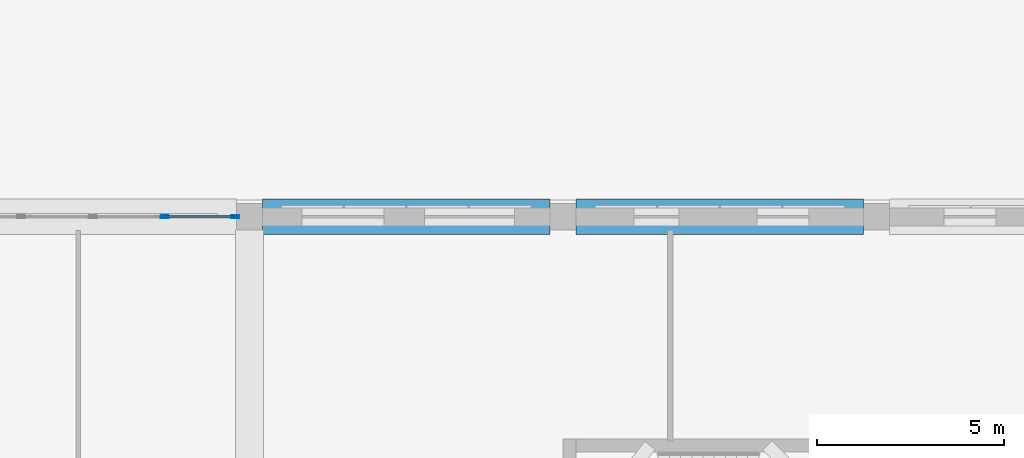
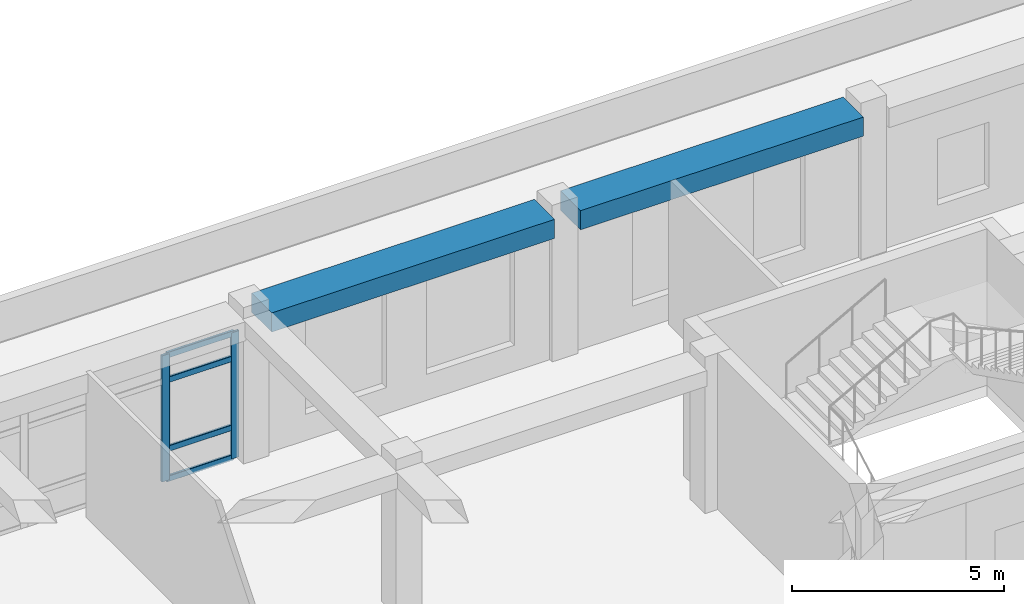
# One storey, part 36 of 100: 6 members, 2 beams, 1 element without a shape of its own.
"""IFC4 building model written with IfcOpenShell, lengths in metres."""

from ifc_helpers import new_model, si_unit, derived_unit, direction, frame, origin, origin_2d, place, context, subcontext, project, spatial, rectangle, hollow_rectangle, extrude, material, material_profile, profile_set, type_object, element, aggregate, save


model = new_model("IFC4")

# Units and contexts
model_context = context("Model", 3, precision=1e-05, world=origin(), true_north=direction((0.0, 1.0)))
body_context = subcontext(model_context, "Body", "Model", "MODEL_VIEW")
ifc_project = project(units=[si_unit("LENGTHUNIT", "METRE"), si_unit("AREAUNIT", "SQUARE_METRE"), si_unit("VOLUMEUNIT", "CUBIC_METRE"), si_unit("PLANEANGLEUNIT", "RADIAN"), si_unit("MASSUNIT", "GRAM", prefix="KILO"), derived_unit("THERMALTRANSMITTANCEUNIT", [(si_unit("POWERUNIT", "WATT"), 1), (si_unit("LENGTHUNIT", "METRE"), -2), (si_unit("THERMODYNAMICTEMPERATUREUNIT", "KELVIN"), -1)])], contexts=[model_context])

# Site, building, storey
site_placement = place(None, origin())
site = spatial("IfcSite", under=ifc_project, at=site_placement, CompositionType="ELEMENT")
building_placement = place(site_placement, origin())
building = spatial("IfcBuilding", under=site, at=building_placement, Name="Veybourne Emporium", CompositionType="ELEMENT")
storey_placement = place(building_placement, frame((0.0, 0.0, 14.39990234375)))
storey = spatial("IfcBuildingStorey", under=building, at=storey_placement, Name="L03", CompositionType="ELEMENT", Elevation=14.39990234375)

# Curtain wall, members
ifc_material_1 = material(Name="Patinated Architectural Bronze", Category="bronze")
curtain_wall_type = type_object("IfcCurtainWallType", Name="CWSystem_CWS-16", PredefinedType="NOTDEFINED", material=ifc_material_1)
curtain_wall_placement = place(storey_placement, origin())
curtain_wall = element("IfcCurtainWall", 1, at=curtain_wall_placement, inside=storey, type_object=curtain_wall_type, Name="L03 bronze glazed curtain wall CWS-16 (036)", PredefinedType="NOTDEFINED")
ifc_material_profile_1 = material_profile(ifc_material_1, hollow_rectangle(XDim=0.070068359375, YDim=0.219970703125, WallThickness=0.0048828125, InnerFilletRadius=0.007568359375, OuterFilletRadius=0.012451171875, at=origin_2d()), Name="CWM 70x220x5")
ifc_profile_set_1 = profile_set([ifc_material_profile_1], Name="Patinated Architectural Bronze")
member_type_1 = type_object("IfcMemberType", Name="CWMullion_CW-M4", PredefinedType="MULLION", material=ifc_profile_set_1)
member_1_placement = place(storey_placement, frame((64.925048828125, 100.800048828125, 0.0), z_axis=(0.0, 0.0, 1.0), x_axis=(0.0, 1.0, 0.0)))
member_1 = element("IfcMember", 2, at=member_1_placement, type_object=member_type_1, Name="CWS-16 mullion 4", PredefinedType="MULLION", context=body_context, shape_type="SweptSolid", body=[
    extrude(hollow_rectangle(XDim=0.070068359375, YDim=0.219970703125, WallThickness=0.0048828125, InnerFilletRadius=0.007568359375, OuterFilletRadius=0.012451171875, at=origin_2d()), origin(), (0.0, 0.0, 1.0), 3.630126953125),
])
member_2_placement = place(storey_placement, frame((66.81494140625, 100.800048828125, 0.0), z_axis=(0.0, 0.0, 1.0), x_axis=(0.0, 1.0, 0.0)))
member_2 = element("IfcMember", 3, at=member_2_placement, type_object=member_type_1, Name="CWS-16 mullion 5", PredefinedType="MULLION", context=body_context, shape_type="SweptSolid", body=[
    extrude(hollow_rectangle(XDim=0.070068359375, YDim=0.219970703125, WallThickness=0.0048828125, InnerFilletRadius=0.007568359375, OuterFilletRadius=0.012451171875, at=origin_2d()), origin(), (0.0, 0.0, 1.0), 3.630126953125),
])
ifc_material_profile_2 = material_profile(ifc_material_1, hollow_rectangle(XDim=0.070068359375, YDim=0.169921875, WallThickness=0.0048828125, InnerFilletRadius=0.007568359375, OuterFilletRadius=0.012451171875, at=origin_2d()), Name="CWT 70x170x5")
ifc_profile_set_2 = profile_set([ifc_material_profile_2], Name="Patinated Architectural Bronze")
member_type_2 = type_object("IfcMemberType", Name="CWTransom_CW-T4", PredefinedType="NOTDEFINED", material=ifc_profile_set_2)
member_3_placement = place(storey_placement, frame((64.9599609375, 100.800048828125, 0.03515625), z_axis=(1.0, 0.0, 0.0), x_axis=(0.0, 1.0, 0.0)))
member_3 = element("IfcMember", 4, at=member_3_placement, type_object=member_type_2, Name="CWS-16 transom 4.1", ObjectType="TRANSOM", PredefinedType="USERDEFINED", context=body_context, shape_type="SweptSolid", body=[
    extrude(hollow_rectangle(XDim=0.070068359375, YDim=0.169921875, WallThickness=0.0048828125, InnerFilletRadius=0.007568359375, OuterFilletRadius=0.012451171875, at=origin_2d()), origin(), (0.0, 0.0, 1.0), 1.820068359375),
])
member_4_placement = place(storey_placement, frame((64.9599609375, 100.800048828125, 0.900146484375), z_axis=(1.0, 0.0, 0.0), x_axis=(0.0, 1.0, 0.0)))
member_4 = element("IfcMember", 5, at=member_4_placement, type_object=member_type_2, Name="CWS-16 transom 4.2", ObjectType="TRANSOM", PredefinedType="USERDEFINED", context=body_context, shape_type="SweptSolid", body=[
    extrude(hollow_rectangle(XDim=0.070068359375, YDim=0.169921875, WallThickness=0.0048828125, InnerFilletRadius=0.007568359375, OuterFilletRadius=0.012451171875, at=origin_2d()), origin(), (0.0, 0.0, 1.0), 1.820068359375),
])
member_5_placement = place(storey_placement, frame((64.9599609375, 100.800048828125, 2.880126953125), z_axis=(1.0, 0.0, 0.0), x_axis=(0.0, 1.0, 0.0)))
member_5 = element("IfcMember", 6, at=member_5_placement, type_object=member_type_2, Name="CWS-16 transom 4.3", ObjectType="TRANSOM", PredefinedType="USERDEFINED", context=body_context, shape_type="SweptSolid", body=[
    extrude(hollow_rectangle(XDim=0.070068359375, YDim=0.169921875, WallThickness=0.0048828125, InnerFilletRadius=0.007568359375, OuterFilletRadius=0.012451171875, at=origin_2d()), origin(), (0.0, 0.0, 1.0), 1.820068359375),
])
member_6_placement = place(storey_placement, frame((64.9599609375, 100.800048828125, 3.59521484375), z_axis=(1.0, 0.0, 0.0), x_axis=(0.0, 1.0, 0.0)))
member_6 = element("IfcMember", 7, at=member_6_placement, type_object=member_type_2, Name="CWS-16 transom 4.4", ObjectType="TRANSOM", PredefinedType="USERDEFINED", context=body_context, shape_type="SweptSolid", body=[
    extrude(hollow_rectangle(XDim=0.070068359375, YDim=0.169921875, WallThickness=0.0048828125, InnerFilletRadius=0.007568359375, OuterFilletRadius=0.012451171875, at=origin_2d()), origin(), (0.0, 0.0, 1.0), 1.820068359375),
])
aggregate(curtain_wall, [member_1, member_2, member_3, member_4, member_5, member_6])

# Beams
ifc_material_2 = material(Name="Concrete C32/40", Category="concrete")
ifc_material_profile_3 = material_profile(ifc_material_2, rectangle(XDim=0.949951171875, YDim=0.550048828125, at=origin_2d()), Name="RC 950x550")
ifc_profile_set_3 = profile_set([ifc_material_profile_3], Name="Concrete C32/40")
beam_type = type_object("IfcBeamType", Name="RCBeam_EB-01", PredefinedType="SPANDREL", material=ifc_profile_set_3)
for number, where, z_axis, x_axis, name in (
    (8, (67.550048828125, 100.800048828125, 3.905029296875), (1.0, 0.0, 0.0), (0.0, 1.0, 0.0), "L03 X-grid beam EB-01 (8,14)"),
    (9, (75.949951171875, 100.800048828125, 3.905029296875), (1.0, 0.0, 0.0), (0.0, 1.0, 0.0), "L03 X-grid beam EB-01 (9,14)"),
):
    element("IfcBeam", number, at=place(storey_placement, frame(where, z_axis=z_axis, x_axis=x_axis)), inside=storey, type_object=beam_type, Name=name, PredefinedType="SPANDREL", context=body_context, shape_type="SweptSolid", body=[
        extrude(rectangle(XDim=0.949951171875, YDim=0.550048828125, at=origin_2d()), origin(), (0.0, 0.0, 1.0), 7.699951171875),
    ])

save(model, "model.ifc")
